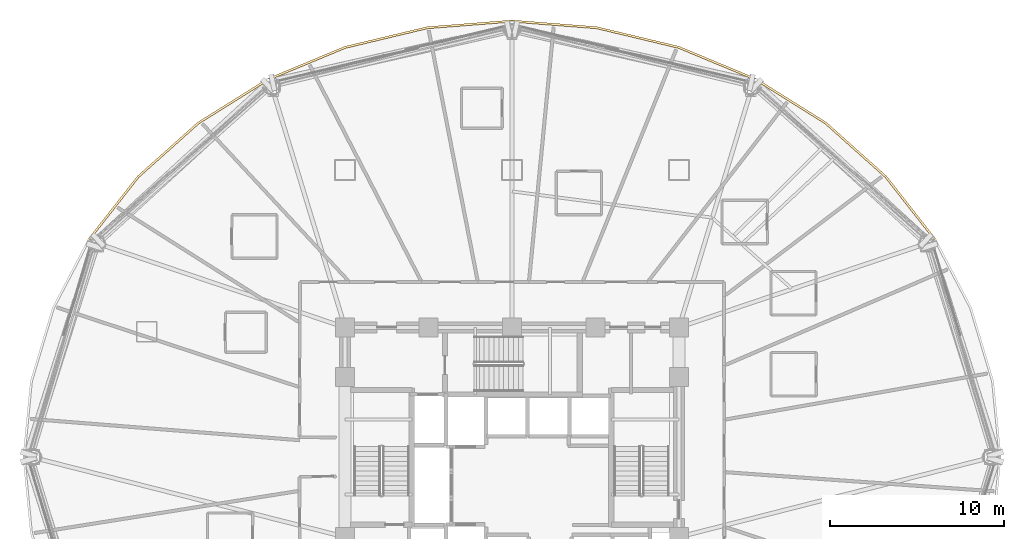
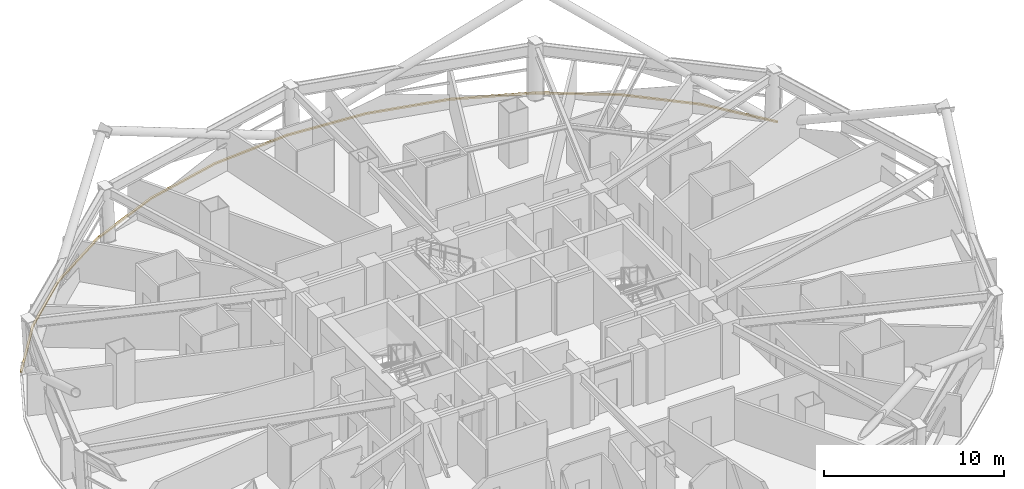
# One storey, part 16 of 16: 4 coverings.
"""IFC4 building model written with IfcOpenShell, lengths in metres."""

from ifc_helpers import new_model, si_unit, direction, frame, origin, place, context, subcontext, project, spatial, polyline, outline, extrude, material, layer, layer_set, type_object, element, save


model = new_model("IFC4")

# Units and contexts
model_context = context("Model", 3, precision=1e-05, world=origin(), true_north=direction((0.0, 1.0)))
body_context = subcontext(model_context, "Body", "Model", "MODEL_VIEW")
ifc_project = project(units=[si_unit("LENGTHUNIT", "METRE"), si_unit("AREAUNIT", "SQUARE_METRE"), si_unit("VOLUMEUNIT", "CUBIC_METRE"), si_unit("PLANEANGLEUNIT", "RADIAN"), si_unit("MASSUNIT", "GRAM", prefix="KILO")], contexts=[model_context])

# Site, building, storey
site_placement = place(None, origin())
site = spatial("IfcSite", under=ifc_project, at=site_placement, CompositionType="ELEMENT")
building_placement = place(site_placement, origin())
building = spatial("IfcBuilding", under=site, at=building_placement, Name="Vantalir Tower", CompositionType="ELEMENT")
storey_placement = place(building_placement, frame((0.0, 0.0, 64.5)))
storey = spatial("IfcBuildingStorey", under=building, at=storey_placement, Name="L15", CompositionType="ELEMENT", Elevation=64.5)

# Coverings
ifc_material = material(Name="Anodised champagne aluminium sill fascia", Category="aluminium")
ifc_layer = layer(ifc_material, 0.125)
ifc_layer_set = layer_set([ifc_layer], Name="Anodised champagne aluminium sill fascia")
covering_type = type_object("IfcCoveringType", Name="COV-SLAB-FASCIA-125", PredefinedType="CLADDING", material=ifc_layer_set)
covering_1_placement = place(storey_placement, frame((0.0, 0.0, -0.179931640625)))
element("IfcCovering", 1, at=covering_1_placement, inside=storey, type_object=covering_type, Name="L15 Perimeter Slab-Edge Sill Fascia 02", PredefinedType="CLADDING", context=body_context, shape_type="SweptSolid", body=[
    extrude(outline(polyline([(55.85791015625, 37.56298828125), (53.0458984375, 41.15087890625), (49.5791015625, 44.248046875), (45.56298828125, 46.760009765625), (45.5009765625, 46.652099609375), (49.4990234375, 44.152099609375), (52.949951171875, 41.070068359375), (55.75, 37.5), (55.85791015625, 37.56298828125)])), origin(), (0.0, 0.0, 1.0), 0.10498046875),
])
covering_2_placement = place(storey_placement, frame((0.0, 0.0, -0.179931640625)))
element("IfcCovering", 2, at=covering_2_placement, inside=storey, type_object=covering_type, Name="L15 Perimeter Slab-Edge Sill Fascia 03", PredefinedType="CLADDING", context=body_context, shape_type="SweptSolid", body=[
    extrude(outline(polyline([(45.56298828125, 46.760009765625), (41.1201171875, 48.611083984375), (36.384033203125, 49.743896484375), (31.5, 50.1259765625), (31.5, 50.0009765625), (36.362060546875, 49.62109375), (41.076904296875, 48.492919921875), (45.5009765625, 46.652099609375), (45.56298828125, 46.760009765625)])), origin(), (0.0, 0.0, 1.0), 0.10498046875),
])
covering_3_placement = place(storey_placement, frame((0.0, 0.0, -0.179931640625)))
element("IfcCovering", 3, at=covering_3_placement, inside=storey, type_object=covering_type, Name="L15 Perimeter Slab-Edge Sill Fascia 04", PredefinedType="CLADDING", context=body_context, shape_type="SweptSolid", body=[
    extrude(outline(polyline([(31.5, 50.1259765625), (26.615966796875, 49.743896484375), (21.8798828125, 48.611083984375), (17.43701171875, 46.760009765625), (17.5, 46.652099609375), (21.923095703125, 48.492919921875), (26.637939453125, 49.62109375), (31.5, 50.0009765625), (31.5, 50.1259765625)])), origin(), (0.0, 0.0, 1.0), 0.10498046875),
])
covering_4_placement = place(storey_placement, frame((0.0, 0.0, -0.179931640625)))
element("IfcCovering", 4, at=covering_4_placement, inside=storey, type_object=covering_type, Name="L15 Perimeter Slab-Edge Sill Fascia 05", PredefinedType="CLADDING", context=body_context, shape_type="SweptSolid", body=[
    extrude(outline(polyline([(17.43701171875, 46.760009765625), (13.4208984375, 44.248046875), (9.9541015625, 41.15087890625), (7.14208984375, 37.56298828125), (7.25, 37.5), (10.050048828125, 41.070068359375), (13.5009765625, 44.152099609375), (17.5, 46.652099609375), (17.43701171875, 46.760009765625)])), origin(), (0.0, 0.0, 1.0), 0.10498046875),
])

save(model, "model.ifc")
